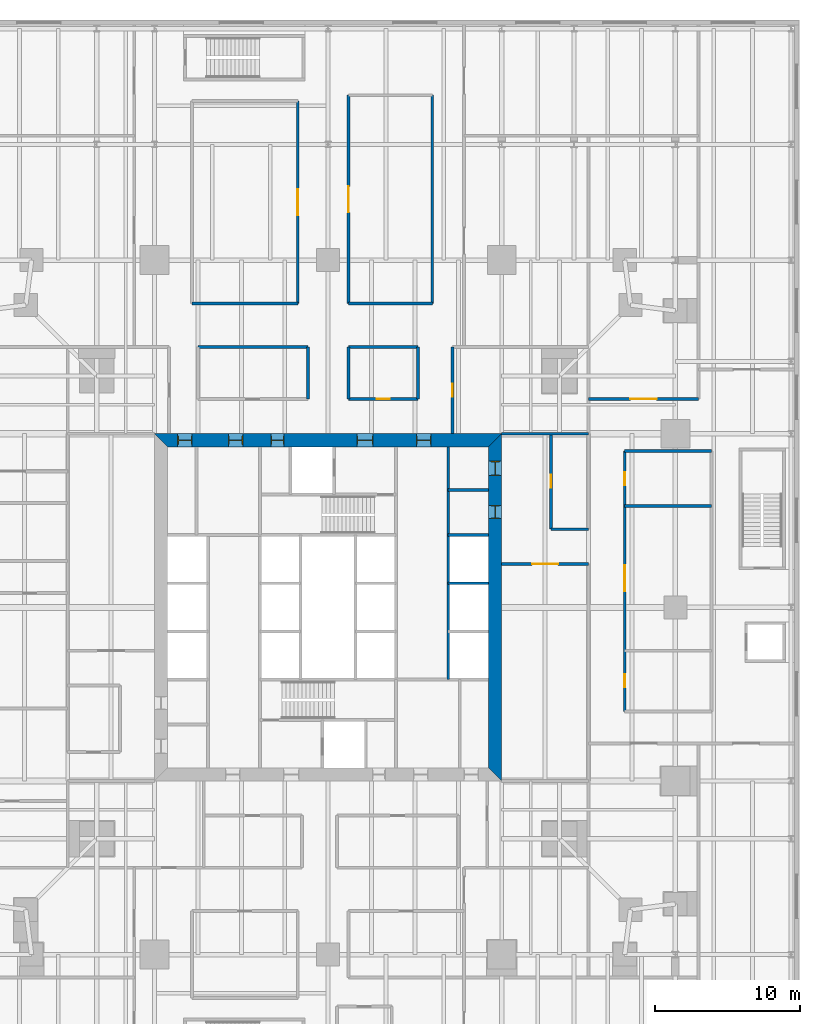
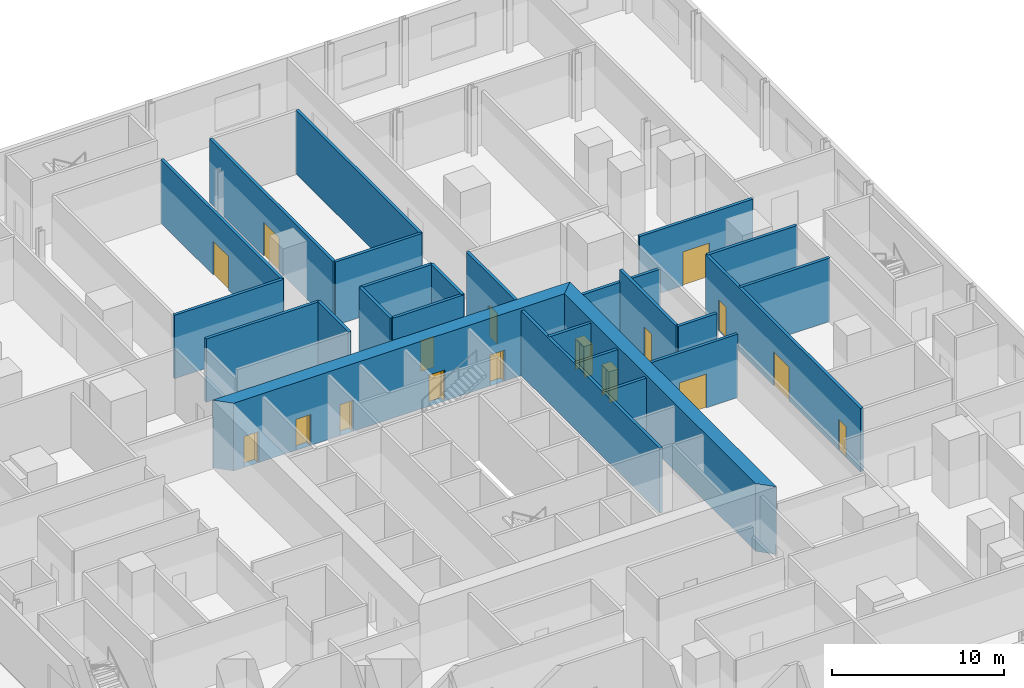
# One storey, part 12 of 17: 26 walls, 17 doors, 17 openings.
"""IFC4 building model written with IfcOpenShell, lengths in metres."""

from ifc_helpers import new_model, si_unit, direction, frame, frame_2d, origin, place, context, subcontext, project, spatial, polyline, rectangle, outline, extrude, material, layer, layer_set, type_object, element, fill, save


model = new_model("IFC4")

# Units and contexts
model_context = context("Model", 3, precision=1e-05, world=origin(), true_north=direction((0.0, 1.0)))
body_context = subcontext(model_context, "Body", "Model", "MODEL_VIEW")
ifc_project = project(units=[si_unit("LENGTHUNIT", "METRE"), si_unit("AREAUNIT", "SQUARE_METRE"), si_unit("VOLUMEUNIT", "CUBIC_METRE"), si_unit("PLANEANGLEUNIT", "RADIAN"), si_unit("MASSUNIT", "GRAM", prefix="KILO")], contexts=[model_context])

# Site, building, storey
site_placement = place(None, origin())
site = spatial("IfcSite", under=ifc_project, at=site_placement, CompositionType="ELEMENT")
building_placement = place(site_placement, origin())
building = spatial("IfcBuilding", under=site, at=building_placement, Name="Fenwick Lantern Interchange", CompositionType="ELEMENT")
storey_placement = place(building_placement, frame((0.0, 0.0, 21.39990234375)))
storey = spatial("IfcBuildingStorey", under=building, at=storey_placement, Name="L04", CompositionType="ELEMENT", Elevation=21.39990234375)

# Walls
ifc_material_1 = material(Name="Concrete masonry ASTM C90 Grade N", Category="masonry")
ifc_layer_1 = layer(ifc_material_1, 0.199951171875)
ifc_layer_set_1 = layer_set([ifc_layer_1], Name="Concrete masonry ASTM C90 Grade N")
wall_type_1 = type_object("IfcWallType", Name="CORE PARTITION 200", PredefinedType="PARTITIONING", material=ifc_layer_set_1)
wall_1_placement = place(storey_placement, frame((33.300048828125, 36.10009765625, 0.0), z_axis=(0.0, 0.0, 1.0), x_axis=(0.0, -1.0, 0.0)))
element("IfcWall", 1, at=wall_1_placement, inside=storey, type_object=wall_type_1, Name="L04/W/COREN/a", PredefinedType="PARTITIONING", context=body_context, shape_type="SweptSolid", body=[
    extrude(rectangle(XDim=16.10009765625, YDim=0.199951171875, at=frame_2d((8.050048828125, 0.0))), origin(), (0.0, 0.0, 1.0), 4.60009765625),
])
for number, where, z_axis, x_axis, name in (
    (2, (36.10009765625, 30.0, 0.0), (0.0, 0.0, 1.0), (-1.0, 0.0, 0.0), "L04/W/COREN/c2"),
    (3, (36.10009765625, 26.666748046875, 0.0), (0.0, 0.0, 1.0), (-1.0, 0.0, 0.0), "L04/W/COREN/d1"),
    (4, (36.10009765625, 33.10009765625, 0.0), (0.0, 0.0, 1.0), (-1.0, 0.0, 0.0), "L04/W/COREN/p1"),
):
    element("IfcWall", number, at=place(storey_placement, frame(where, z_axis=z_axis, x_axis=x_axis)), inside=storey, type_object=wall_type_1, Name=name, PredefinedType="PARTITIONING", context=body_context, shape_type="SweptSolid", body=[
        extrude(rectangle(XDim=2.800048828125, YDim=0.199951171875, at=frame_2d((1.39990234375, 0.0))), origin(), (0.0, 0.0, 1.0), 4.60009765625),
    ])

# Wall, openings, doors
ifc_material_2 = material(Name="Concrete f'c 70 MPa", Category="concrete")
ifc_layer_2 = layer(ifc_material_2, 0.89990234375)
ifc_layer_set_2 = layer_set([ifc_layer_2], Name="CORE WALL 900")
wall_type_2 = type_object("IfcWallType", Name="CORE WALL 900", PredefinedType="SHEAR", material=ifc_layer_set_2)
wall_2_placement = place(storey_placement, frame((36.550048828125, 13.89990234375, 0.0), z_axis=(0.0, 0.0, 1.0), x_axis=(0.0, 1.0, 0.0)))
wall_2 = element("IfcWall", 5, at=wall_2_placement, inside=storey, type_object=wall_type_2, Name="L04/CORE/E", PredefinedType="SHEAR", context=body_context, shape_type="SweptSolid", body=[
    extrude(outline(polyline([(-0.89990234375, -0.449951171875), (23.10009765625, -0.449951171875), (22.199951171875, 0.449951171875), (0.0, 0.449951171875), (-0.89990234375, -0.449951171875)])), origin(), (0.0, 0.0, 1.0), 4.800048828125),
])
opening_1_placement = place(wall_2_placement, frame((20.199951171875, 0.0, 0.0)))
opening_1 = element("IfcOpeningElement", 6, at=opening_1_placement, cuts=wall_2, Name="Opening L04-D017", PredefinedType="OPENING", context=body_context, shape_type="SweptSolid", body=[
    extrude(rectangle(XDim=1.0, YDim=2.199951171875, at=frame_2d((0.5, 1.10009765625))), frame((0.0, 0.4599609375, 0.0), z_axis=(0.0, -1.0, 0.0), x_axis=(1.0, 0.0, 0.0)), (0.0, 0.0, 1.0), 0.919921875),
])
opening_2_placement = place(wall_2_placement, frame((17.25, 0.0, 0.0)))
opening_2 = element("IfcOpeningElement", 7, at=opening_2_placement, cuts=wall_2, Name="Opening L04-D018", PredefinedType="OPENING", context=body_context, shape_type="SweptSolid", body=[
    extrude(rectangle(XDim=0.89990234375, YDim=2.199951171875, at=frame_2d((0.449951171875, 1.10009765625))), frame((0.0, 0.4599609375, 0.0), z_axis=(0.0, -1.0, 0.0), x_axis=(1.0, 0.0, 0.0)), (0.0, 0.0, 1.0), 0.919921875),
])
ifc_material_3 = material(Name="Steel door and frame", Category="steel")
door_type_1 = type_object("IfcDoorType", Name="SERVICE DOOR 900 X 2200", OperationType="SINGLE_SWING_LEFT", PredefinedType="DOOR", material=ifc_material_3)
door_1_placement = place(opening_2_placement, origin())
door_1 = element("IfcDoor", 8, at=door_1_placement, inside=storey, type_object=door_type_1, Name="Service door", OperationType="SINGLE_SWING_RIGHT", OverallHeight=2.199951171875, OverallWidth=0.89990234375, PredefinedType="DOOR", context=body_context, shape_type="SweptSolid", body=[
    extrude(rectangle(XDim=0.89990234375, YDim=2.199951171875, at=frame_2d((0.449951171875, 1.10009765625))), frame((0.0, 0.02490234375, 0.0), z_axis=(0.0, -1.0, 0.0), x_axis=(1.0, 0.0, 0.0)), (0.0, 0.0, 1.0), 0.050048828125),
    extrude(outline(polyline([(0.0, 0.0), (0.0400390625, 0.0), (0.0400390625, 2.159912109375), (0.85986328125, 2.159912109375), (0.85986328125, 0.0), (0.89990234375, 0.0), (0.89990234375, 2.199951171875), (0.0, 2.199951171875), (0.0, 0.0)])), frame((0.0, 0.300048828125, 0.0), z_axis=(0.0, -1.0, 0.0), x_axis=(1.0, 0.0, 0.0)), (0.0, 0.0, 1.0), 0.60009765625),
])
fill(opening_2, door_1)
ifc_material_4 = material(Name="Hardwood door and steel frame", Category="steel")
door_type_2 = type_object("IfcDoorType", Name="WC DOOR 1000 X 2200", OperationType="SINGLE_SWING_LEFT", PredefinedType="DOOR", material=ifc_material_4)
door_2_placement = place(opening_1_placement, origin())
door_2 = element("IfcDoor", 9, at=door_2_placement, inside=storey, type_object=door_type_2, Name="Wc door", OperationType="SINGLE_SWING_LEFT", OverallHeight=2.199951171875, OverallWidth=1.0, PredefinedType="DOOR", context=body_context, shape_type="SweptSolid", body=[
    extrude(rectangle(XDim=1.0, YDim=2.199951171875, at=frame_2d((0.5, 1.10009765625))), frame((0.0, 0.02490234375, 0.0), z_axis=(0.0, -1.0, 0.0), x_axis=(1.0, 0.0, 0.0)), (0.0, 0.0, 1.0), 0.050048828125),
    extrude(outline(polyline([(0.0, 0.0), (0.0400390625, 0.0), (0.0400390625, 2.159912109375), (0.9599609375, 2.159912109375), (0.9599609375, 0.0), (1.0, 0.0), (1.0, 2.199951171875), (0.0, 2.199951171875), (0.0, 0.0)])), frame((0.0, 0.300048828125, 0.0), z_axis=(0.0, -1.0, 0.0), x_axis=(1.0, 0.0, 0.0)), (0.0, 0.0, 1.0), 0.60009765625),
])
fill(opening_1, door_2)

wall_3_placement = place(storey_placement, frame((37.0, 36.550048828125, 0.0), z_axis=(0.0, 0.0, 1.0), x_axis=(-1.0, 0.0, 0.0)))
wall_3 = element("IfcWall", 10, at=wall_3_placement, inside=storey, type_object=wall_type_2, Name="L04/CORE/N", PredefinedType="SHEAR", context=body_context, shape_type="SweptSolid", body=[
    extrude(outline(polyline([(0.0, -0.449951171875), (24.0, -0.449951171875), (23.10009765625, 0.449951171875), (0.89990234375, 0.449951171875), (0.0, -0.449951171875)])), origin(), (0.0, 0.0, 1.0), 4.800048828125),
])
opening_3_placement = place(wall_3_placement, frame((4.89990234375, 0.0, 0.0)))
opening_3 = element("IfcOpeningElement", 11, at=opening_3_placement, cuts=wall_3, Name="Opening L04-D011", PredefinedType="OPENING", context=body_context, shape_type="SweptSolid", body=[
    extrude(rectangle(XDim=1.0, YDim=2.199951171875, at=frame_2d((0.5, 1.10009765625))), frame((0.0, 0.4599609375, 0.0), z_axis=(0.0, -1.0, 0.0), x_axis=(1.0, 0.0, 0.0)), (0.0, 0.0, 1.0), 0.919921875),
])
opening_4_placement = place(wall_3_placement, frame((8.89990234375, 0.0, 0.0)))
opening_4 = element("IfcOpeningElement", 12, at=opening_4_placement, cuts=wall_3, Name="Opening L04-D012", PredefinedType="OPENING", context=body_context, shape_type="SweptSolid", body=[
    extrude(rectangle(XDim=1.10009765625, YDim=2.199951171875, at=frame_2d((0.550048828125, 1.10009765625))), frame((0.0, 0.4599609375, 0.0), z_axis=(0.0, -1.0, 0.0), x_axis=(1.0, 0.0, 0.0)), (0.0, 0.0, 1.0), 0.919921875),
])
opening_5_placement = place(wall_3_placement, frame((15.050048828125, 0.0, 0.0)))
opening_5 = element("IfcOpeningElement", 13, at=opening_5_placement, cuts=wall_3, Name="Opening L04-D014", PredefinedType="OPENING", context=body_context, shape_type="SweptSolid", body=[
    extrude(rectangle(XDim=0.89990234375, YDim=2.199951171875, at=frame_2d((0.449951171875, 1.10009765625))), frame((0.0, 0.4599609375, 0.0), z_axis=(0.0, -1.0, 0.0), x_axis=(1.0, 0.0, 0.0)), (0.0, 0.0, 1.0), 0.919921875),
])
opening_6_placement = place(wall_3_placement, frame((17.89990234375, 0.0, 0.0)))
opening_6 = element("IfcOpeningElement", 14, at=opening_6_placement, cuts=wall_3, Name="Opening L04-D015", PredefinedType="OPENING", context=body_context, shape_type="SweptSolid", body=[
    extrude(rectangle(XDim=1.0, YDim=2.199951171875, at=frame_2d((0.5, 1.10009765625))), frame((0.0, 0.4599609375, 0.0), z_axis=(0.0, -1.0, 0.0), x_axis=(1.0, 0.0, 0.0)), (0.0, 0.0, 1.0), 0.919921875),
])
opening_7_placement = place(wall_3_placement, frame((21.39990234375, 0.0, 0.0)))
opening_7 = element("IfcOpeningElement", 15, at=opening_7_placement, cuts=wall_3, Name="Opening L04-D016", PredefinedType="OPENING", context=body_context, shape_type="SweptSolid", body=[
    extrude(rectangle(XDim=1.0, YDim=2.199951171875, at=frame_2d((0.5, 1.10009765625))), frame((0.0, 0.4599609375, 0.0), z_axis=(0.0, -1.0, 0.0), x_axis=(1.0, 0.0, 0.0)), (0.0, 0.0, 1.0), 0.919921875),
])
door_type_3 = type_object("IfcDoorType", Name="CORE LOBBY DOOR 1000 X 2200", OperationType="SINGLE_SWING_LEFT", PredefinedType="DOOR", material=ifc_material_3)
door_3_placement = place(opening_3_placement, origin())
door_3 = element("IfcDoor", 16, at=door_3_placement, inside=storey, type_object=door_type_3, Name="Core lobby door", OperationType="SINGLE_SWING_LEFT", OverallHeight=2.199951171875, OverallWidth=1.0, PredefinedType="DOOR", context=body_context, shape_type="SweptSolid", body=[
    extrude(rectangle(XDim=1.0, YDim=2.199951171875, at=frame_2d((0.5, 1.10009765625))), frame((0.0, 0.02490234375, 0.0), z_axis=(0.0, -1.0, 0.0), x_axis=(1.0, 0.0, 0.0)), (0.0, 0.0, 1.0), 0.050048828125),
    extrude(outline(polyline([(0.0, 0.0), (0.0400390625, 0.0), (0.0400390625, 2.159912109375), (0.9599609375, 2.159912109375), (0.9599609375, 0.0), (1.0, 0.0), (1.0, 2.199951171875), (0.0, 2.199951171875), (0.0, 0.0)])), frame((0.0, 0.300048828125, 0.0), z_axis=(0.0, -1.0, 0.0), x_axis=(1.0, 0.0, 0.0)), (0.0, 0.0, 1.0), 0.60009765625),
])
fill(opening_3, door_3)
door_type_4 = type_object("IfcDoorType", Name="FIRE LOBBY DOOR 1100 X 2200", OperationType="SINGLE_SWING_LEFT", PredefinedType="DOOR", material=ifc_material_3)
door_4_placement = place(opening_4_placement, origin())
door_4 = element("IfcDoor", 17, at=door_4_placement, inside=storey, type_object=door_type_4, Name="Fire lobby door", OperationType="SINGLE_SWING_LEFT", OverallHeight=2.199951171875, OverallWidth=1.10009765625, PredefinedType="DOOR", context=body_context, shape_type="SweptSolid", body=[
    extrude(rectangle(XDim=1.10009765625, YDim=2.199951171875, at=frame_2d((0.550048828125, 1.10009765625))), frame((0.0, 0.02490234375, 0.0), z_axis=(0.0, -1.0, 0.0), x_axis=(1.0, 0.0, 0.0)), (0.0, 0.0, 1.0), 0.050048828125),
    extrude(outline(polyline([(0.0, 0.0), (0.0400390625, 0.0), (0.0400390625, 2.159912109375), (1.06005859375, 2.159912109375), (1.06005859375, 0.0), (1.10009765625, 0.0), (1.10009765625, 2.199951171875), (0.0, 2.199951171875), (0.0, 0.0)])), frame((0.0, 0.300048828125, 0.0), z_axis=(0.0, -1.0, 0.0), x_axis=(1.0, 0.0, 0.0)), (0.0, 0.0, 1.0), 0.60009765625),
])
fill(opening_4, door_4)
door_5_placement = place(opening_5_placement, origin())
door_5 = element("IfcDoor", 18, at=door_5_placement, inside=storey, type_object=door_type_1, Name="Service door", OperationType="SINGLE_SWING_LEFT", OverallHeight=2.199951171875, OverallWidth=0.89990234375, PredefinedType="DOOR", context=body_context, shape_type="SweptSolid", body=[
    extrude(rectangle(XDim=0.89990234375, YDim=2.199951171875, at=frame_2d((0.449951171875, 1.10009765625))), frame((0.0, 0.02490234375, 0.0), z_axis=(0.0, -1.0, 0.0), x_axis=(1.0, 0.0, 0.0)), (0.0, 0.0, 1.0), 0.050048828125),
    extrude(outline(polyline([(0.0, 0.0), (0.0400390625, 0.0), (0.0400390625, 2.159912109375), (0.85986328125, 2.159912109375), (0.85986328125, 0.0), (0.89990234375, 0.0), (0.89990234375, 2.199951171875), (0.0, 2.199951171875), (0.0, 0.0)])), frame((0.0, 0.300048828125, 0.0), z_axis=(0.0, -1.0, 0.0), x_axis=(1.0, 0.0, 0.0)), (0.0, 0.0, 1.0), 0.60009765625),
])
fill(opening_5, door_5)
door_6_placement = place(opening_6_placement, origin())
door_6 = element("IfcDoor", 19, at=door_6_placement, inside=storey, type_object=door_type_2, Name="Wc door", OperationType="SINGLE_SWING_LEFT", OverallHeight=2.199951171875, OverallWidth=1.0, PredefinedType="DOOR", context=body_context, shape_type="SweptSolid", body=[
    extrude(rectangle(XDim=1.0, YDim=2.199951171875, at=frame_2d((0.5, 1.10009765625))), frame((0.0, 0.02490234375, 0.0), z_axis=(0.0, -1.0, 0.0), x_axis=(1.0, 0.0, 0.0)), (0.0, 0.0, 1.0), 0.050048828125),
    extrude(outline(polyline([(0.0, 0.0), (0.0400390625, 0.0), (0.0400390625, 2.159912109375), (0.9599609375, 2.159912109375), (0.9599609375, 0.0), (1.0, 0.0), (1.0, 2.199951171875), (0.0, 2.199951171875), (0.0, 0.0)])), frame((0.0, 0.300048828125, 0.0), z_axis=(0.0, -1.0, 0.0), x_axis=(1.0, 0.0, 0.0)), (0.0, 0.0, 1.0), 0.60009765625),
])
fill(opening_6, door_6)
door_7_placement = place(opening_7_placement, origin())
door_7 = element("IfcDoor", 20, at=door_7_placement, inside=storey, type_object=door_type_2, Name="Wc door", OperationType="SINGLE_SWING_LEFT", OverallHeight=2.199951171875, OverallWidth=1.0, PredefinedType="DOOR", context=body_context, shape_type="SweptSolid", body=[
    extrude(rectangle(XDim=1.0, YDim=2.199951171875, at=frame_2d((0.5, 1.10009765625))), frame((0.0, 0.02490234375, 0.0), z_axis=(0.0, -1.0, 0.0), x_axis=(1.0, 0.0, 0.0)), (0.0, 0.0, 1.0), 0.050048828125),
    extrude(outline(polyline([(0.0, 0.0), (0.0400390625, 0.0), (0.0400390625, 2.159912109375), (0.9599609375, 2.159912109375), (0.9599609375, 0.0), (1.0, 0.0), (1.0, 2.199951171875), (0.0, 2.199951171875), (0.0, 0.0)])), frame((0.0, 0.300048828125, 0.0), z_axis=(0.0, -1.0, 0.0), x_axis=(1.0, 0.0, 0.0)), (0.0, 0.0, 1.0), 0.60009765625),
])
fill(opening_7, door_7)

# Wall, opening, door
ifc_material_5 = material(Name="Gypsum board on steel studs, 1 hour", Category="steel")
ifc_layer_3 = layer(ifc_material_5, 0.199951171875)
ifc_layer_set_3 = layer_set([ifc_layer_3], Name="ROOM WALL 200")
wall_type_3 = type_object("IfcWallType", Name="ROOM WALL 200", PredefinedType="PARTITIONING", material=ifc_layer_set_3)
wall_4_placement = place(storey_placement, frame((22.89990234375, 46.0, 0.0), z_axis=(0.0, 0.0, 1.0), x_axis=(0.0, 1.0, 0.0)))
wall_4 = element("IfcWall", 21, at=wall_4_placement, inside=storey, type_object=wall_type_3, Name="L04/W/POD/X22.9-2", PredefinedType="PARTITIONING", context=body_context, shape_type="SweptSolid", body=[
    extrude(rectangle(XDim=14.0, YDim=0.199951171875, at=frame_2d((7.0, 0.0))), origin(), (0.0, 0.0, 1.0), 4.5),
])
opening_8_placement = place(wall_4_placement, frame((6.10009765625, 0.0, 0.0)))
opening_8 = element("IfcOpeningElement", 22, at=opening_8_placement, cuts=wall_4, Name="Opening L04-D047", PredefinedType="OPENING", context=body_context, shape_type="SweptSolid", body=[
    extrude(rectangle(XDim=1.800048828125, YDim=2.39990234375, at=frame_2d((0.89990234375, 1.199951171875))), frame((0.0, 0.10986328125, 0.0), z_axis=(0.0, -1.0, 0.0), x_axis=(1.0, 0.0, 0.0)), (0.0, 0.0, 1.0), 0.219970703125),
])
door_type_5 = type_object("IfcDoorType", Name="ROOM DOOR PAIR 1800 X 2400", OperationType="DOUBLE_DOOR_SINGLE_SWING", PredefinedType="DOOR", material=ifc_material_3)
door_8_placement = place(opening_8_placement, frame((1.800048828125, 0.0, 0.0), z_axis=(0.0, 0.0, 1.0), x_axis=(-1.0, 0.0, 0.0)))
door_8 = element("IfcDoor", 23, at=door_8_placement, inside=storey, type_object=door_type_5, Name="Room door pair", OperationType="DOUBLE_DOOR_SINGLE_SWING", OverallHeight=2.39990234375, OverallWidth=1.800048828125, PredefinedType="DOOR", context=body_context, shape_type="SweptSolid", body=[
    extrude(rectangle(XDim=1.800048828125, YDim=2.39990234375, at=frame_2d((0.89990234375, 1.199951171875))), frame((0.0, 0.02490234375, 0.0), z_axis=(0.0, -1.0, 0.0), x_axis=(1.0, 0.0, 0.0)), (0.0, 0.0, 1.0), 0.050048828125),
])
fill(opening_8, door_8)

# Walls
for number, where, z_axis, x_axis, name in (
    (24, (23.60009765625, 39.39990234375, 0.0), (0.0, 0.0, 1.0), (0.0, 1.0, 0.0), "L04/W/POD/X23.6-1"),
    (25, (26.39990234375, 39.39990234375, 0.0), (0.0, 0.0, 1.0), (0.0, 1.0, 0.0), "L04/W/POD/X26.4-2"),
):
    element("IfcWall", number, at=place(storey_placement, frame(where, z_axis=z_axis, x_axis=x_axis)), inside=storey, type_object=wall_type_3, Name=name, PredefinedType="PARTITIONING", context=body_context, shape_type="SweptSolid", body=[
        extrude(rectangle(XDim=3.60009765625, YDim=0.199951171875, at=frame_2d((1.800048828125, 0.0))), origin(), (0.0, 0.0, 1.0), 4.5),
    ])

# Wall, opening, door
wall_5_placement = place(storey_placement, frame((26.39990234375, 46.0, 0.0), z_axis=(0.0, 0.0, 1.0), x_axis=(0.0, 1.0, 0.0)))
wall_5 = element("IfcWall", 26, at=wall_5_placement, inside=storey, type_object=wall_type_3, Name="L04/W/POD/X26.4-3", PredefinedType="PARTITIONING", context=body_context, shape_type="SweptSolid", body=[
    extrude(rectangle(XDim=14.39990234375, YDim=0.199951171875, at=frame_2d((7.199951171875, 0.0))), origin(), (0.0, 0.0, 1.0), 4.5),
])
opening_9_placement = place(wall_5_placement, frame((6.300048828125, 0.0, 0.0)))
opening_9 = element("IfcOpeningElement", 27, at=opening_9_placement, cuts=wall_5, Name="Opening L04-D048", PredefinedType="OPENING", context=body_context, shape_type="SweptSolid", body=[
    extrude(rectangle(XDim=1.800048828125, YDim=2.39990234375, at=frame_2d((0.89990234375, 1.199951171875))), frame((0.0, 0.10986328125, 0.0), z_axis=(0.0, -1.0, 0.0), x_axis=(1.0, 0.0, 0.0)), (0.0, 0.0, 1.0), 0.219970703125),
])
door_9_placement = place(opening_9_placement, origin())
door_9 = element("IfcDoor", 28, at=door_9_placement, inside=storey, type_object=door_type_5, Name="Room door pair", OperationType="DOUBLE_DOOR_SINGLE_SWING", OverallHeight=2.39990234375, OverallWidth=1.800048828125, PredefinedType="DOOR", context=body_context, shape_type="SweptSolid", body=[
    extrude(rectangle(XDim=1.800048828125, YDim=2.39990234375, at=frame_2d((0.89990234375, 1.199951171875))), frame((0.0, 0.02490234375, 0.0), z_axis=(0.0, -1.0, 0.0), x_axis=(1.0, 0.0, 0.0)), (0.0, 0.0, 1.0), 0.050048828125),
])
fill(opening_9, door_9)

# Walls
wall_6_placement = place(storey_placement, frame((31.199951171875, 39.39990234375, 0.0), z_axis=(0.0, 0.0, 1.0), x_axis=(0.0, 1.0, 0.0)))
element("IfcWall", 29, at=wall_6_placement, inside=storey, type_object=wall_type_3, Name="L04/W/POD/X31.2-1", PredefinedType="PARTITIONING", context=body_context, shape_type="SweptSolid", body=[
    extrude(rectangle(XDim=3.60009765625, YDim=0.199951171875, at=frame_2d((1.800048828125, 0.0))), origin(), (0.0, 0.0, 1.0), 4.5),
])
wall_7_placement = place(storey_placement, frame((32.199951171875, 46.0, 0.0), z_axis=(0.0, 0.0, 1.0), x_axis=(0.0, 1.0, 0.0)))
element("IfcWall", 30, at=wall_7_placement, inside=storey, type_object=wall_type_3, Name="L04/W/POD/X32.2-1", PredefinedType="PARTITIONING", context=body_context, shape_type="SweptSolid", body=[
    extrude(rectangle(XDim=14.39990234375, YDim=0.199951171875, at=frame_2d((7.199951171875, 0.0))), origin(), (0.0, 0.0, 1.0), 4.5),
])

# Wall, opening, door
wall_8_placement = place(storey_placement, frame((33.60009765625, 37.0, 0.0), z_axis=(0.0, 0.0, 1.0), x_axis=(0.0, 1.0, 0.0)))
wall_8 = element("IfcWall", 31, at=wall_8_placement, inside=storey, type_object=wall_type_3, Name="L04/W/POD/X33.6-1", PredefinedType="PARTITIONING", context=body_context, shape_type="SweptSolid", body=[
    extrude(rectangle(XDim=6.0, YDim=0.199951171875, at=frame_2d((3.0, 0.0))), origin(), (0.0, 0.0, 1.0), 4.5),
])
opening_10_placement = place(wall_8_placement, frame((2.550048828125, 0.0, 0.0)))
opening_10 = element("IfcOpeningElement", 32, at=opening_10_placement, cuts=wall_8, Name="Opening L04-D042", PredefinedType="OPENING", context=body_context, shape_type="SweptSolid", body=[
    extrude(rectangle(XDim=0.89990234375, YDim=2.199951171875, at=frame_2d((0.449951171875, 1.10009765625))), frame((0.0, 0.10986328125, 0.0), z_axis=(0.0, -1.0, 0.0), x_axis=(1.0, 0.0, 0.0)), (0.0, 0.0, 1.0), 0.219970703125),
])
door_type_6 = type_object("IfcDoorType", Name="OFFICE DOOR 900 X 2200", OperationType="SINGLE_SWING_LEFT", PredefinedType="DOOR", material=ifc_material_4)
door_10_placement = place(opening_10_placement, frame((0.89990234375, 0.0, 0.0), z_axis=(0.0, 0.0, 1.0), x_axis=(-1.0, 0.0, 0.0)))
door_10 = element("IfcDoor", 33, at=door_10_placement, inside=storey, type_object=door_type_6, Name="Office door", OperationType="SINGLE_SWING_LEFT", OverallHeight=2.199951171875, OverallWidth=0.89990234375, PredefinedType="DOOR", context=body_context, shape_type="SweptSolid", body=[
    extrude(rectangle(XDim=0.89990234375, YDim=2.199951171875, at=frame_2d((0.449951171875, 1.10009765625))), frame((0.0, 0.02490234375, 0.0), z_axis=(0.0, -1.0, 0.0), x_axis=(1.0, 0.0, 0.0)), (0.0, 0.0, 1.0), 0.050048828125),
])
fill(opening_10, door_10)

wall_9_placement = place(storey_placement, frame((40.39990234375, 30.39990234375, 0.0), z_axis=(0.0, 0.0, 1.0), x_axis=(0.0, 1.0, 0.0)))
wall_9 = element("IfcWall", 34, at=wall_9_placement, inside=storey, type_object=wall_type_3, Name="L04/W/POD/X40.4-1", PredefinedType="PARTITIONING", context=body_context, shape_type="SweptSolid", body=[
    extrude(rectangle(XDim=6.60009765625, YDim=0.199951171875, at=frame_2d((3.300048828125, 0.0))), origin(), (0.0, 0.0, 1.0), 4.5),
])
opening_11_placement = place(wall_9_placement, frame((2.85009765625, 0.0, 0.0)))
opening_11 = element("IfcOpeningElement", 35, at=opening_11_placement, cuts=wall_9, Name="Opening L04-D059", PredefinedType="OPENING", context=body_context, shape_type="SweptSolid", body=[
    extrude(rectangle(XDim=0.89990234375, YDim=2.199951171875, at=frame_2d((0.449951171875, 1.10009765625))), frame((0.0, 0.10986328125, 0.0), z_axis=(0.0, -1.0, 0.0), x_axis=(1.0, 0.0, 0.0)), (0.0, 0.0, 1.0), 0.219970703125),
])
door_11_placement = place(opening_11_placement, frame((0.89990234375, 0.0, 0.0), z_axis=(0.0, 0.0, 1.0), x_axis=(-1.0, 0.0, 0.0)))
door_11 = element("IfcDoor", 36, at=door_11_placement, inside=storey, type_object=door_type_6, Name="Office door", OperationType="SINGLE_SWING_RIGHT", OverallHeight=2.199951171875, OverallWidth=0.89990234375, PredefinedType="DOOR", context=body_context, shape_type="SweptSolid", body=[
    extrude(rectangle(XDim=0.89990234375, YDim=2.199951171875, at=frame_2d((0.449951171875, 1.10009765625))), frame((0.0, 0.02490234375, 0.0), z_axis=(0.0, -1.0, 0.0), x_axis=(1.0, 0.0, 0.0)), (0.0, 0.0, 1.0), 0.050048828125),
])
fill(opening_11, door_11)

# Wall, openings, doors
wall_10_placement = place(storey_placement, frame((45.5, 17.800048828125, 0.0), z_axis=(0.0, 0.0, 1.0), x_axis=(0.0, 1.0, 0.0)))
wall_10 = element("IfcWall", 37, at=wall_10_placement, inside=storey, type_object=wall_type_3, Name="L04/W/POD/X45.5-1", PredefinedType="PARTITIONING", context=body_context, shape_type="SweptSolid", body=[
    extrude(rectangle(XDim=18.0, YDim=0.199951171875, at=frame_2d((9.0, 0.0))), origin(), (0.0, 0.0, 1.0), 4.5),
])
opening_12_placement = place(wall_10_placement, frame((8.300048828125, 0.0, 0.0)))
opening_12 = element("IfcOpeningElement", 38, at=opening_12_placement, cuts=wall_10, Name="Opening L04-D051", PredefinedType="OPENING", context=body_context, shape_type="SweptSolid", body=[
    extrude(rectangle(XDim=1.800048828125, YDim=2.39990234375, at=frame_2d((0.89990234375, 1.199951171875))), frame((0.0, 0.10986328125, 0.0), z_axis=(0.0, -1.0, 0.0), x_axis=(1.0, 0.0, 0.0)), (0.0, 0.0, 1.0), 0.219970703125),
])
opening_13_placement = place(wall_10_placement, frame((1.675048828125, 0.0, 0.0)))
opening_13 = element("IfcOpeningElement", 39, at=opening_13_placement, cuts=wall_10, Name="Opening L04-D057", PredefinedType="OPENING", context=body_context, shape_type="SweptSolid", body=[
    extrude(rectangle(XDim=0.89990234375, YDim=2.199951171875, at=frame_2d((0.449951171875, 1.10009765625))), frame((0.0, 0.10986328125, 0.0), z_axis=(0.0, -1.0, 0.0), x_axis=(1.0, 0.0, 0.0)), (0.0, 0.0, 1.0), 0.219970703125),
])
opening_14_placement = place(wall_10_placement, frame((15.625, 0.0, 0.0)))
opening_14 = element("IfcOpeningElement", 40, at=opening_14_placement, cuts=wall_10, Name="Opening L04-D058", PredefinedType="OPENING", context=body_context, shape_type="SweptSolid", body=[
    extrude(rectangle(XDim=0.89990234375, YDim=2.199951171875, at=frame_2d((0.449951171875, 1.10009765625))), frame((0.0, 0.10986328125, 0.0), z_axis=(0.0, -1.0, 0.0), x_axis=(1.0, 0.0, 0.0)), (0.0, 0.0, 1.0), 0.219970703125),
])
door_12_placement = place(opening_13_placement, frame((0.89990234375, 0.0, 0.0), z_axis=(0.0, 0.0, 1.0), x_axis=(-1.0, 0.0, 0.0)))
door_12 = element("IfcDoor", 41, at=door_12_placement, inside=storey, type_object=door_type_6, Name="Office door", OperationType="SINGLE_SWING_LEFT", OverallHeight=2.199951171875, OverallWidth=0.89990234375, PredefinedType="DOOR", context=body_context, shape_type="SweptSolid", body=[
    extrude(rectangle(XDim=0.89990234375, YDim=2.199951171875, at=frame_2d((0.449951171875, 1.10009765625))), frame((0.0, 0.02490234375, 0.0), z_axis=(0.0, -1.0, 0.0), x_axis=(1.0, 0.0, 0.0)), (0.0, 0.0, 1.0), 0.050048828125),
])
fill(opening_13, door_12)
door_13_placement = place(opening_14_placement, frame((0.89990234375, 0.0, 0.0), z_axis=(0.0, 0.0, 1.0), x_axis=(-1.0, 0.0, 0.0)))
door_13 = element("IfcDoor", 42, at=door_13_placement, inside=storey, type_object=door_type_6, Name="Office door", OperationType="SINGLE_SWING_RIGHT", OverallHeight=2.199951171875, OverallWidth=0.89990234375, PredefinedType="DOOR", context=body_context, shape_type="SweptSolid", body=[
    extrude(rectangle(XDim=0.89990234375, YDim=2.199951171875, at=frame_2d((0.449951171875, 1.10009765625))), frame((0.0, 0.02490234375, 0.0), z_axis=(0.0, -1.0, 0.0), x_axis=(1.0, 0.0, 0.0)), (0.0, 0.0, 1.0), 0.050048828125),
])
fill(opening_14, door_13)
door_14_placement = place(opening_12_placement, origin())
door_14 = element("IfcDoor", 43, at=door_14_placement, inside=storey, type_object=door_type_5, Name="Room door pair", OperationType="DOUBLE_DOOR_SINGLE_SWING", OverallHeight=2.39990234375, OverallWidth=1.800048828125, PredefinedType="DOOR", context=body_context, shape_type="SweptSolid", body=[
    extrude(rectangle(XDim=1.800048828125, YDim=2.39990234375, at=frame_2d((0.89990234375, 1.199951171875))), frame((0.0, 0.02490234375, 0.0), z_axis=(0.0, -1.0, 0.0), x_axis=(1.0, 0.0, 0.0)), (0.0, 0.0, 1.0), 0.050048828125),
])
fill(opening_12, door_14)

# Wall, opening, door
wall_11_placement = place(storey_placement, frame((37.0, 28.0, 0.0), z_axis=(0.0, 0.0, 1.0), x_axis=(1.0, 0.0, 0.0)))
wall_11 = element("IfcWall", 44, at=wall_11_placement, inside=storey, type_object=wall_type_3, Name="L04/W/POD/Y28-1", PredefinedType="PARTITIONING", context=body_context, shape_type="SweptSolid", body=[
    extrude(rectangle(XDim=6.0, YDim=0.199951171875, at=frame_2d((3.0, 0.0))), origin(), (0.0, 0.0, 1.0), 4.5),
])
opening_15_placement = place(wall_11_placement, frame((2.099853515625, 0.0, 0.0)))
opening_15 = element("IfcOpeningElement", 45, at=opening_15_placement, cuts=wall_11, Name="Opening L04-D040", PredefinedType="OPENING", context=body_context, shape_type="SweptSolid", body=[
    extrude(rectangle(XDim=1.800048828125, YDim=2.39990234375, at=frame_2d((0.89990234375, 1.199951171875))), frame((0.0, 0.10986328125, 0.0), z_axis=(0.0, -1.0, 0.0), x_axis=(1.0, 0.0, 0.0)), (0.0, 0.0, 1.0), 0.219970703125),
])
door_15_placement = place(opening_15_placement, origin())
door_15 = element("IfcDoor", 46, at=door_15_placement, inside=storey, type_object=door_type_5, Name="Room door pair", OperationType="DOUBLE_DOOR_SINGLE_SWING", OverallHeight=2.39990234375, OverallWidth=1.800048828125, PredefinedType="DOOR", context=body_context, shape_type="SweptSolid", body=[
    extrude(rectangle(XDim=1.800048828125, YDim=2.39990234375, at=frame_2d((0.89990234375, 1.199951171875))), frame((0.0, 0.02490234375, 0.0), z_axis=(0.0, -1.0, 0.0), x_axis=(1.0, 0.0, 0.0)), (0.0, 0.0, 1.0), 0.050048828125),
])
fill(opening_15, door_15)

# Walls
wall_12_placement = place(storey_placement, frame((40.39990234375, 30.39990234375, 0.0), z_axis=(0.0, 0.0, 1.0), x_axis=(1.0, 0.0, 0.0)))
element("IfcWall", 47, at=wall_12_placement, inside=storey, type_object=wall_type_3, Name="L04/W/POD/Y30.4-1", PredefinedType="PARTITIONING", context=body_context, shape_type="SweptSolid", body=[
    extrude(rectangle(XDim=2.60009765625, YDim=0.199951171875, at=frame_2d((1.300048828125, 0.0))), origin(), (0.0, 0.0, 1.0), 4.5),
])
for number, where, z_axis, x_axis, name in (
    (48, (45.5, 32.0, 0.0), (0.0, 0.0, 1.0), (1.0, 0.0, 0.0), "L04/W/POD/Y32-1"),
    (49, (45.5, 35.800048828125, 0.0), (0.0, 0.0, 1.0), (1.0, 0.0, 0.0), "L04/W/POD/Y35.8-1"),
):
    element("IfcWall", number, at=place(storey_placement, frame(where, z_axis=z_axis, x_axis=x_axis)), inside=storey, type_object=wall_type_3, Name=name, PredefinedType="PARTITIONING", context=body_context, shape_type="SweptSolid", body=[
        extrude(rectangle(XDim=6.0, YDim=0.199951171875, at=frame_2d((3.0, 0.0))), origin(), (0.0, 0.0, 1.0), 4.5),
    ])
wall_13_placement = place(storey_placement, frame((37.0, 37.0, 0.0), z_axis=(0.0, 0.0, 1.0), x_axis=(1.0, 0.0, 0.0)))
element("IfcWall", 50, at=wall_13_placement, inside=storey, type_object=wall_type_3, Name="L04/W/POD/Y37-2", PredefinedType="PARTITIONING", context=body_context, shape_type="SweptSolid", body=[
    extrude(rectangle(XDim=6.0, YDim=0.199951171875, at=frame_2d((3.0, 0.0))), origin(), (0.0, 0.0, 1.0), 3.652587890625),
])

# Wall, opening, door
wall_14_placement = place(storey_placement, frame((26.39990234375, 39.39990234375, 0.0), z_axis=(0.0, 0.0, 1.0), x_axis=(1.0, 0.0, 0.0)))
wall_14 = element("IfcWall", 51, at=wall_14_placement, inside=storey, type_object=wall_type_3, Name="L04/W/POD/Y39.4-2", PredefinedType="PARTITIONING", context=body_context, shape_type="SweptSolid", body=[
    extrude(rectangle(XDim=4.800048828125, YDim=0.199951171875, at=frame_2d((2.39990234375, 0.0))), origin(), (0.0, 0.0, 1.0), 4.5),
])
opening_16_placement = place(wall_14_placement, frame((1.949951171875, 0.0, 0.0)))
opening_16 = element("IfcOpeningElement", 52, at=opening_16_placement, cuts=wall_14, Name="Opening L04-D053", PredefinedType="OPENING", context=body_context, shape_type="SweptSolid", body=[
    extrude(rectangle(XDim=0.89990234375, YDim=2.199951171875, at=frame_2d((0.449951171875, 1.10009765625))), frame((0.0, 0.10986328125, 0.0), z_axis=(0.0, -1.0, 0.0), x_axis=(1.0, 0.0, 0.0)), (0.0, 0.0, 1.0), 0.219970703125),
])
door_16_placement = place(opening_16_placement, origin())
door_16 = element("IfcDoor", 53, at=door_16_placement, inside=storey, type_object=door_type_6, Name="Office door", OperationType="SINGLE_SWING_LEFT", OverallHeight=2.199951171875, OverallWidth=0.89990234375, PredefinedType="DOOR", context=body_context, shape_type="SweptSolid", body=[
    extrude(rectangle(XDim=0.89990234375, YDim=2.199951171875, at=frame_2d((0.449951171875, 1.10009765625))), frame((0.0, 0.02490234375, 0.0), z_axis=(0.0, -1.0, 0.0), x_axis=(1.0, 0.0, 0.0)), (0.0, 0.0, 1.0), 0.050048828125),
])
fill(opening_16, door_16)

wall_15_placement = place(storey_placement, frame((43.0, 39.39990234375, 0.0), z_axis=(0.0, 0.0, 1.0), x_axis=(1.0, 0.0, 0.0)))
wall_15 = element("IfcWall", 54, at=wall_15_placement, inside=storey, type_object=wall_type_3, Name="L04/W/POD/Y39.4-3", PredefinedType="PARTITIONING", context=body_context, shape_type="SweptSolid", body=[
    extrude(rectangle(XDim=7.60009765625, YDim=0.199951171875, at=frame_2d((3.800048828125, 0.0))), origin(), (0.0, 0.0, 1.0), 4.5),
])
opening_17_placement = place(wall_15_placement, frame((2.89990234375, 0.0, 0.0)))
opening_17 = element("IfcOpeningElement", 55, at=opening_17_placement, cuts=wall_15, Name="Opening L04-D031", PredefinedType="OPENING", context=body_context, shape_type="SweptSolid", body=[
    extrude(rectangle(XDim=1.800048828125, YDim=2.39990234375, at=frame_2d((0.89990234375, 1.199951171875))), frame((0.0, 0.10986328125, 0.0), z_axis=(0.0, -1.0, 0.0), x_axis=(1.0, 0.0, 0.0)), (0.0, 0.0, 1.0), 0.219970703125),
])
door_17_placement = place(opening_17_placement, frame((1.800048828125, 0.0, 0.0), z_axis=(0.0, 0.0, 1.0), x_axis=(-1.0, 0.0, 0.0)))
door_17 = element("IfcDoor", 56, at=door_17_placement, inside=storey, type_object=door_type_5, Name="Room door pair", OperationType="DOUBLE_DOOR_SINGLE_SWING", OverallHeight=2.39990234375, OverallWidth=1.800048828125, PredefinedType="DOOR", context=body_context, shape_type="SweptSolid", body=[
    extrude(rectangle(XDim=1.800048828125, YDim=2.39990234375, at=frame_2d((0.89990234375, 1.199951171875))), frame((0.0, 0.02490234375, 0.0), z_axis=(0.0, -1.0, 0.0), x_axis=(1.0, 0.0, 0.0)), (0.0, 0.0, 1.0), 0.050048828125),
])
fill(opening_17, door_17)

# Walls
wall_16_placement = place(storey_placement, frame((16.0, 43.0, 0.0), z_axis=(0.0, 0.0, 1.0), x_axis=(1.0, 0.0, 0.0)))
element("IfcWall", 57, at=wall_16_placement, inside=storey, type_object=wall_type_3, Name="L04/W/POD/Y43-2", PredefinedType="PARTITIONING", context=body_context, shape_type="SweptSolid", body=[
    extrude(rectangle(XDim=7.60009765625, YDim=0.199951171875, at=frame_2d((3.800048828125, 0.0))), origin(), (0.0, 0.0, 1.0), 4.5),
])
wall_17_placement = place(storey_placement, frame((26.39990234375, 43.0, 0.0), z_axis=(0.0, 0.0, 1.0), x_axis=(1.0, 0.0, 0.0)))
element("IfcWall", 58, at=wall_17_placement, inside=storey, type_object=wall_type_3, Name="L04/W/POD/Y43-3", PredefinedType="PARTITIONING", context=body_context, shape_type="SweptSolid", body=[
    extrude(rectangle(XDim=4.800048828125, YDim=0.199951171875, at=frame_2d((2.39990234375, 0.0))), origin(), (0.0, 0.0, 1.0), 4.5),
])
wall_18_placement = place(storey_placement, frame((15.60009765625, 46.0, 0.0), z_axis=(0.0, 0.0, 1.0), x_axis=(1.0, 0.0, 0.0)))
element("IfcWall", 59, at=wall_18_placement, inside=storey, type_object=wall_type_3, Name="L04/W/POD/Y46-1", PredefinedType="PARTITIONING", context=body_context, shape_type="SweptSolid", body=[
    extrude(rectangle(XDim=7.2998046875, YDim=0.199951171875, at=frame_2d((3.64990234375, 0.0))), origin(), (0.0, 0.0, 1.0), 4.5),
])
wall_19_placement = place(storey_placement, frame((26.39990234375, 46.0, 0.0), z_axis=(0.0, 0.0, 1.0), x_axis=(1.0, 0.0, 0.0)))
element("IfcWall", 60, at=wall_19_placement, inside=storey, type_object=wall_type_3, Name="L04/W/POD/Y46-2", PredefinedType="PARTITIONING", context=body_context, shape_type="SweptSolid", body=[
    extrude(rectangle(XDim=5.800048828125, YDim=0.199951171875, at=frame_2d((2.89990234375, 0.0))), origin(), (0.0, 0.0, 1.0), 4.5),
])

save(model, "model.ifc")
